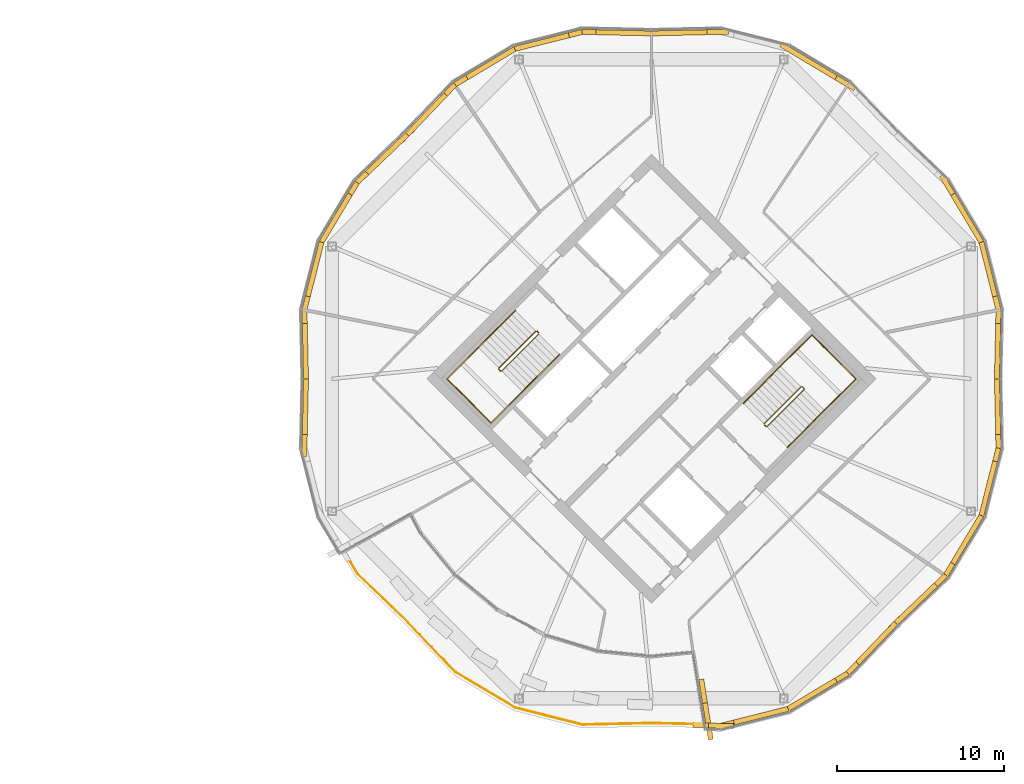
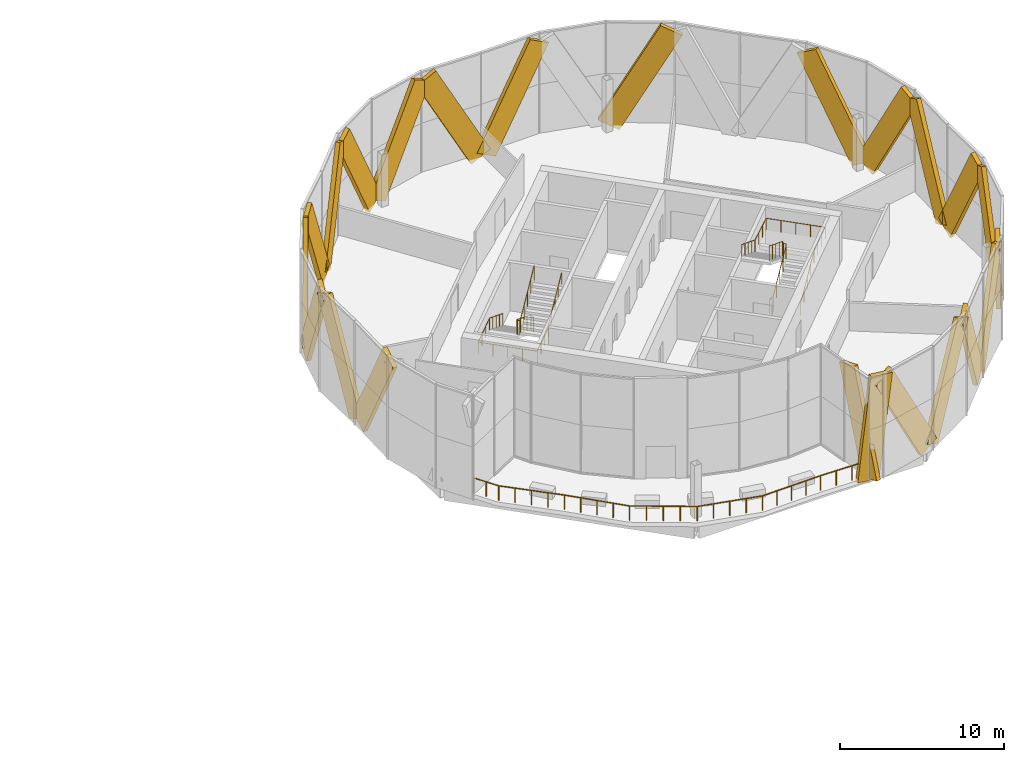
# One storey, part 24 of 26: 23 coverings, 5 railings.
"""IFC4 building model written with IfcOpenShell, lengths in metres."""

from ifc_helpers import new_model, si_unit, direction, frame, origin, origin_2d, place, context, subcontext, project, spatial, rectangle, circle, extrude, material, material_profile, profile_set, type_object, element, save


model = new_model("IFC4")

# Units and contexts
model_context = context("Model", 3, precision=1e-05, world=origin(), true_north=direction((0.0, 1.0)))
body_context = subcontext(model_context, "Body", "Model", "MODEL_VIEW")
ifc_project = project(units=[si_unit("LENGTHUNIT", "METRE"), si_unit("AREAUNIT", "SQUARE_METRE"), si_unit("VOLUMEUNIT", "CUBIC_METRE"), si_unit("PLANEANGLEUNIT", "RADIAN"), si_unit("MASSUNIT", "GRAM", prefix="KILO")], contexts=[model_context])

# Site, building, storey
site_placement = place(None, origin())
site = spatial("IfcSite", under=ifc_project, at=site_placement, CompositionType="ELEMENT")
building_placement = place(site_placement, origin())
building = spatial("IfcBuilding", under=site, at=building_placement, Name="Ogive Gate Towers", CompositionType="ELEMENT")
storey_placement = place(building_placement, frame((0.0, 0.0, 208.5)))
storey = spatial("IfcBuildingStorey", under=building, at=storey_placement, Name="L50", CompositionType="ELEMENT", Elevation=208.5)

# Coverings
ifc_material_1 = material(Name="Pale metal aluminium", Category="aluminium")
ifc_material_profile = material_profile(ifc_material_1, rectangle(XDim=0.300048828125, YDim=1.5, at=origin_2d()), Name="1500 x 300 pale metal aluminium")
ifc_profile_set = profile_set([ifc_material_profile], Name="Pale metal aluminium")
covering_type = type_object("IfcCoveringType", Name="Facade fin 1500 x 300", PredefinedType="CLADDING", material=ifc_profile_set)
covering_1_placement = place(storey_placement, frame((55.659912109375, 8.314697265625, 0.00732421875), z_axis=(-0.244315237806, 0.40917122344, 0.879141043567), x_axis=(-0.858590291699, -0.512662375254, 0.0)))
element("IfcCovering", 1, at=covering_1_placement, inside=storey, type_object=covering_type, Name="Facade fin", PredefinedType="CLADDING", context=body_context, shape_type="SweptSolid", body=[
    extrude(rectangle(XDim=0.300048828125, YDim=1.5, at=origin_2d()), origin(), (0.0, 0.0, 1.0), 8.059326171875),
])
covering_2_placement = place(storey_placement, frame((55.78125, 8.022216796875, 0.00732421875), z_axis=(0.11656969557, -0.462067974669, 0.879149983143), x_axis=(0.969620500905, 0.244614153772, 0.0)))
element("IfcCovering", 2, at=covering_2_placement, inside=storey, type_object=covering_type, Name="Facade fin", PredefinedType="CLADDING", context=body_context, shape_type="SweptSolid", body=[
    extrude(rectangle(XDim=0.300048828125, YDim=1.5, at=origin_2d()), origin(), (0.0, 0.0, 1.0), 8.05908203125),
])
for number, where, z_axis, x_axis, name in (
    (3, (56.67431640625, 0.19384765625, 0.00341796875), (0.010260996337, 0.471155808158, 0.881990315362), (-0.99976293605, 0.021773187654, 0.0), "Facade fin"),
    (4, (36.19384765625, 20.67431640625, 0.00341796875), (0.471155808158, 0.010260996337, 0.881990315362), (-0.021773187654, 0.99976293605, 0.0), "Facade fin"),
):
    element("IfcCovering", number, at=place(storey_placement, frame(where, z_axis=z_axis, x_axis=x_axis)), inside=storey, type_object=covering_type, Name=name, PredefinedType="CLADDING", context=body_context, shape_type="SweptSolid", body=[
        extrude(rectangle(XDim=0.300048828125, YDim=1.5, at=origin_2d()), origin(), (0.0, 0.0, 1.0), 8.0419921875),
    ])
covering_3_placement = place(storey_placement, frame((44.314697265625, 19.659912109375, 0.00732421875), z_axis=(0.40917122344, -0.244315237806, 0.879141043567), x_axis=(0.512662375254, 0.858590291699, 0.0)))
element("IfcCovering", 5, at=covering_3_placement, inside=storey, type_object=covering_type, Name="Facade fin", PredefinedType="CLADDING", context=body_context, shape_type="SweptSolid", body=[
    extrude(rectangle(XDim=0.300048828125, YDim=1.5, at=origin_2d()), origin(), (0.0, 0.0, 1.0), 8.059326171875),
])
covering_4_placement = place(storey_placement, frame((21.518310546875, 14.755859375, 0.00341796875), z_axis=(0.325891478476, 0.340432886785, 0.881986504348), x_axis=(-0.722366201539, 0.691510716384, 0.0)))
element("IfcCovering", 6, at=covering_4_placement, inside=storey, type_object=covering_type, Name="Facade fin", PredefinedType="CLADDING", context=body_context, shape_type="SweptSolid", body=[
    extrude(rectangle(XDim=0.300048828125, YDim=1.5, at=origin_2d()), origin(), (0.0, 0.0, 1.0), 8.0419921875),
])
covering_5_placement = place(storey_placement, frame((27.685302734375, 19.659912109375, 0.00732421875), z_axis=(-0.40917122344, -0.244315237806, 0.879141043567), x_axis=(0.512662375254, -0.858590291699, 0.0)))
element("IfcCovering", 7, at=covering_5_placement, inside=storey, type_object=covering_type, Name="Facade fin", PredefinedType="CLADDING", context=body_context, shape_type="SweptSolid", body=[
    extrude(rectangle(XDim=0.300048828125, YDim=1.5, at=origin_2d()), origin(), (0.0, 0.0, 1.0), 8.059326171875),
])
covering_6_placement = place(storey_placement, frame((27.977783203125, 19.78125, 0.00732421875), z_axis=(0.462067974669, 0.11656969557, 0.879149983143), x_axis=(-0.244614153772, 0.969620500905, 0.0)))
element("IfcCovering", 8, at=covering_6_placement, inside=storey, type_object=covering_type, Name="Facade fin", PredefinedType="CLADDING", context=body_context, shape_type="SweptSolid", body=[
    extrude(rectangle(XDim=0.300048828125, YDim=1.5, at=origin_2d()), origin(), (0.0, 0.0, 1.0), 8.05908203125),
])
for number, where, z_axis, x_axis, name in (
    (9, (35.80615234375, 20.67431640625, 0.00341796875), (-0.471155808158, 0.010260996337, 0.881990315362), (-0.021773187654, -0.99976293605, 0.0), "Facade fin"),
    (10, (15.32568359375, 0.19384765625, 0.00341796875), (-0.010260996337, 0.471155808158, 0.881990315362), (-0.99976293605, -0.021773187654, 0.0), "Facade fin"),
):
    element("IfcCovering", number, at=place(storey_placement, frame(where, z_axis=z_axis, x_axis=x_axis)), inside=storey, type_object=covering_type, Name=name, PredefinedType="CLADDING", context=body_context, shape_type="SweptSolid", body=[
        extrude(rectangle(XDim=0.300048828125, YDim=1.5, at=origin_2d()), origin(), (0.0, 0.0, 1.0), 8.0419921875),
    ])
covering_7_placement = place(storey_placement, frame((16.21875, 8.022216796875, 0.00732421875), z_axis=(-0.11656969557, -0.462067974669, 0.879149983143), x_axis=(0.969620500905, -0.244614153772, 0.0)))
element("IfcCovering", 11, at=covering_7_placement, inside=storey, type_object=covering_type, Name="Facade fin", PredefinedType="CLADDING", context=body_context, shape_type="SweptSolid", body=[
    extrude(rectangle(XDim=0.300048828125, YDim=1.5, at=origin_2d()), origin(), (0.0, 0.0, 1.0), 8.05908203125),
])
covering_8_placement = place(storey_placement, frame((16.340087890625, 8.314697265625, 0.00732421875), z_axis=(0.244315237806, 0.40917122344, 0.879141043567), x_axis=(-0.858590291699, 0.512662375254, 0.0)))
element("IfcCovering", 12, at=covering_8_placement, inside=storey, type_object=covering_type, Name="Facade fin", PredefinedType="CLADDING", context=body_context, shape_type="SweptSolid", body=[
    extrude(rectangle(XDim=0.300048828125, YDim=1.5, at=origin_2d()), origin(), (0.0, 0.0, 1.0), 8.059326171875),
])
for number, where, z_axis, x_axis, name in (
    (13, (21.244140625, 14.481689453125, 0.00341796875), (-0.340432886785, -0.325891478476, 0.881986504348), (0.691510716384, -0.722366201539, 0.0), "Facade fin"),
    (14, (15.32568359375, -0.19384765625, 0.00341796875), (-0.010260996337, -0.471155808158, 0.881990315362), (0.99976293605, -0.021773187654, 0.0), "Facade fin"),
    (15, (50.481689453125, -14.755859375, 0.00341796875), (-0.325891478476, -0.340432886785, 0.881986504348), (0.722366201539, -0.691510716384, 0.0), "Facade fin"),
):
    element("IfcCovering", number, at=place(storey_placement, frame(where, z_axis=z_axis, x_axis=x_axis)), inside=storey, type_object=covering_type, Name=name, PredefinedType="CLADDING", context=body_context, shape_type="SweptSolid", body=[
        extrude(rectangle(XDim=0.300048828125, YDim=1.5, at=origin_2d()), origin(), (0.0, 0.0, 1.0), 8.0419921875),
    ])
covering_9_placement = place(storey_placement, frame((44.314697265625, -19.659912109375, 0.00732421875), z_axis=(0.40917122344, 0.244315237806, 0.879141043567), x_axis=(-0.512662375254, 0.858590291699, 0.0)))
element("IfcCovering", 16, at=covering_9_placement, inside=storey, type_object=covering_type, Name="Facade fin", PredefinedType="CLADDING", context=body_context, shape_type="SweptSolid", body=[
    extrude(rectangle(XDim=0.300048828125, YDim=1.5, at=origin_2d()), origin(), (0.0, 0.0, 1.0), 8.059326171875),
])
covering_10_placement = place(storey_placement, frame((44.022216796875, -19.78125, 0.00732421875), z_axis=(-0.462067974669, -0.11656969557, 0.879149983143), x_axis=(0.244614153772, -0.969620500905, 0.0)))
element("IfcCovering", 17, at=covering_10_placement, inside=storey, type_object=covering_type, Name="Facade fin", PredefinedType="CLADDING", context=body_context, shape_type="SweptSolid", body=[
    extrude(rectangle(XDim=0.300048828125, YDim=1.5, at=origin_2d()), origin(), (0.0, 0.0, 1.0), 8.05908203125),
])
covering_11_placement = place(storey_placement, frame((39.236083984375, -20.740478515625, -0.259521484375), z_axis=(0.120494340755, -0.002640187509, 0.992710503246), x_axis=(0.021906040869, 0.999760033895, 0.0)))
element("IfcCovering", 18, at=covering_11_placement, inside=storey, type_object=covering_type, Name="Facade fin", PredefinedType="CLADDING", context=body_context, shape_type="SweptSolid", body=[
    extrude(rectangle(XDim=0.300048828125, YDim=1.5, at=origin_2d()), origin(), (0.0, 0.0, 1.0), 7.675048828125),
])
covering_12_placement = place(storey_placement, frame((39.437255859375, -20.87060546875, -0.134765625), z_axis=(-0.044873314435, 0.283393704317, 0.957953231638), x_axis=(-0.987694714965, -0.156394213545, 0.0)))
element("IfcCovering", 19, at=covering_12_placement, inside=storey, type_object=covering_type, Name="Facade fin", PredefinedType="CLADDING", context=body_context, shape_type="SweptSolid", body=[
    extrude(rectangle(XDim=0.300048828125, YDim=1.5, at=origin_2d()), origin(), (0.0, 0.0, 1.0), 7.693115234375),
])
covering_13_placement = place(storey_placement, frame((56.67431640625, -0.19384765625, 0.00341796875), z_axis=(0.010260996337, -0.471155808158, 0.881990315362), x_axis=(0.99976293605, 0.021773187654, 0.0)))
element("IfcCovering", 20, at=covering_13_placement, inside=storey, type_object=covering_type, Name="Facade fin", PredefinedType="CLADDING", context=body_context, shape_type="SweptSolid", body=[
    extrude(rectangle(XDim=0.300048828125, YDim=1.5, at=origin_2d()), origin(), (0.0, 0.0, 1.0), 8.0419921875),
])
covering_14_placement = place(storey_placement, frame((55.78125, -8.022216796875, 0.00732421875), z_axis=(0.11656969557, 0.462067974669, 0.879149983143), x_axis=(-0.969620500905, 0.244614153772, 0.0)))
element("IfcCovering", 21, at=covering_14_placement, inside=storey, type_object=covering_type, Name="Facade fin", PredefinedType="CLADDING", context=body_context, shape_type="SweptSolid", body=[
    extrude(rectangle(XDim=0.300048828125, YDim=1.5, at=origin_2d()), origin(), (0.0, 0.0, 1.0), 8.05908203125),
])
covering_15_placement = place(storey_placement, frame((55.659912109375, -8.314697265625, 0.00732421875), z_axis=(-0.244315237806, -0.40917122344, 0.879141043567), x_axis=(0.858590291699, -0.512662375254, 0.0)))
element("IfcCovering", 22, at=covering_15_placement, inside=storey, type_object=covering_type, Name="Facade fin", PredefinedType="CLADDING", context=body_context, shape_type="SweptSolid", body=[
    extrude(rectangle(XDim=0.300048828125, YDim=1.5, at=origin_2d()), origin(), (0.0, 0.0, 1.0), 8.059326171875),
])
covering_16_placement = place(storey_placement, frame((50.755859375, -14.481689453125, 0.00341796875), z_axis=(0.340432886785, 0.325891478476, 0.881986504348), x_axis=(-0.691510716384, 0.722366201539, 0.0)))
element("IfcCovering", 23, at=covering_16_placement, inside=storey, type_object=covering_type, Name="Facade fin", PredefinedType="CLADDING", context=body_context, shape_type="SweptSolid", body=[
    extrude(rectangle(XDim=0.300048828125, YDim=1.5, at=origin_2d()), origin(), (0.0, 0.0, 1.0), 8.0419921875),
])

# Railings
ifc_material_2 = material(Name="Stainless steel", Category="steel")
railing_type_1 = type_object("IfcRailingType", Name="Guard 1100", PredefinedType="GUARDRAIL", material=ifc_material_2)
railing_1_placement = place(storey_placement, frame((39.310302734375, -20.672119140625, 0.0)))
element("IfcRailing", 24, at=railing_1_placement, inside=storey, type_object=railing_type_1, Name="Sky garden guard", PredefinedType="GUARDRAIL", context=body_context, shape_type="SweptSolid", body=[
    extrude(circle(Radius=0.02392578125, at=origin_2d()), frame((0.0, 0.0, 1.076171875), z_axis=(-0.99976277634, 0.02178051983, 0.0), x_axis=(-0.02178051983, -0.99976277634, 0.0)), (0.0, 0.0, 1.0), 3.306640625),
    extrude(circle(Radius=0.02392578125, at=origin_2d()), frame((-3.305908203125, 0.072021484375, 1.076171875), z_axis=(-0.99976300787, -0.021769889644, 0.0), x_axis=(0.021769889644, -0.99976300787, 0.0)), (0.0, 0.0, 1.0), 4.13818359375),
    extrude(circle(Radius=0.02392578125, at=origin_2d()), frame((-7.443115234375, -0.01806640625, 1.076171875), z_axis=(-0.969627358571, 0.244586969217, 0.0), x_axis=(-0.244586969217, -0.969627358571, 0.0)), (0.0, 0.0, 1.0), 4.143310546875),
    extrude(circle(Radius=0.02392578125, at=origin_2d()), frame((-11.460693359375, 0.995361328125, 1.076171875), z_axis=(-0.858587935725, 0.512666320941, 0.0), x_axis=(-0.512666320941, -0.858587935725, 0.0)), (0.0, 0.0, 1.0), 4.1435546875),
    extrude(circle(Radius=0.02392578125, at=origin_2d()), frame((-15.018310546875, 3.11962890625, 1.076171875), z_axis=(-0.691476324871, 0.722399122469, 0.0), x_axis=(-0.722399122469, -0.691476324871, 0.0)), (0.0, 0.0, 1.0), 4.129150390625),
    extrude(circle(Radius=0.02392578125, at=origin_2d()), frame((-17.87353515625, 6.1025390625, 1.076171875), z_axis=(-0.722366322429, 0.6915105901, 0.0), x_axis=(-0.6915105901, -0.722366322429, 0.0)), (0.0, 0.0, 1.0), 4.13818359375),
    extrude(circle(Radius=0.02392578125, at=origin_2d()), frame((-20.86279296875, 8.964111328125, 1.076171875), z_axis=(-0.512676392302, 0.858581921995, 0.0), x_axis=(-0.858581921995, -0.512676392302, 0.0)), (0.0, 0.0, 1.0), 1.73779296875),
    extrude(circle(Radius=0.02099609375, at=origin_2d()), origin(), (0.0, 0.0, 1.0), 1.052001953125),
    extrude(circle(Radius=0.02099609375, at=origin_2d()), frame((-1.10205078125, 0.02392578125, 0.0)), (0.0, 0.0, 1.0), 1.052001953125),
    extrude(circle(Radius=0.02099609375, at=origin_2d()), frame((-2.203857421875, 0.048095703125, 0.0)), (0.0, 0.0, 1.0), 1.052001953125),
    extrude(circle(Radius=0.02099609375, at=origin_2d()), frame((-3.305908203125, 0.072021484375, 0.0)), (0.0, 0.0, 1.0), 1.052001953125),
    extrude(circle(Radius=0.02099609375, at=origin_2d()), frame((-4.34033203125, 0.049560546875, 0.0)), (0.0, 0.0, 1.0), 1.052001953125),
    extrude(circle(Radius=0.02099609375, at=origin_2d()), frame((-5.37451171875, 0.02685546875, 0.0)), (0.0, 0.0, 1.0), 1.052001953125),
    extrude(circle(Radius=0.02099609375, at=origin_2d()), frame((-6.40869140625, 0.00439453125, 0.0)), (0.0, 0.0, 1.0), 1.052001953125),
    extrude(circle(Radius=0.02099609375, at=origin_2d()), frame((-7.443115234375, -0.01806640625, 0.0)), (0.0, 0.0, 1.0), 1.052001953125),
    extrude(circle(Radius=0.02099609375, at=origin_2d()), frame((-8.447509765625, 0.2353515625, 0.0)), (0.0, 0.0, 1.0), 1.052001953125),
    extrude(circle(Radius=0.02099609375, at=origin_2d()), frame((-9.451904296875, 0.48876953125, 0.0)), (0.0, 0.0, 1.0), 1.052001953125),
    extrude(circle(Radius=0.02099609375, at=origin_2d()), frame((-10.456298828125, 0.741943359375, 0.0)), (0.0, 0.0, 1.0), 1.052001953125),
    extrude(circle(Radius=0.02099609375, at=origin_2d()), frame((-11.460693359375, 0.995361328125, 0.0)), (0.0, 0.0, 1.0), 1.052001953125),
    extrude(circle(Radius=0.02099609375, at=origin_2d()), frame((-12.35009765625, 1.5263671875, 0.0)), (0.0, 0.0, 1.0), 1.052001953125),
    extrude(circle(Radius=0.02099609375, at=origin_2d()), frame((-13.239501953125, 2.0576171875, 0.0)), (0.0, 0.0, 1.0), 1.052001953125),
    extrude(circle(Radius=0.02099609375, at=origin_2d()), frame((-14.12890625, 2.588623046875, 0.0)), (0.0, 0.0, 1.0), 1.052001953125),
    extrude(circle(Radius=0.02099609375, at=origin_2d()), frame((-15.018310546875, 3.11962890625, 0.0)), (0.0, 0.0, 1.0), 1.052001953125),
    extrude(circle(Radius=0.02099609375, at=origin_2d()), frame((-15.732177734375, 3.865234375, 0.0)), (0.0, 0.0, 1.0), 1.052001953125),
    extrude(circle(Radius=0.02099609375, at=origin_2d()), frame((-16.44580078125, 4.611083984375, 0.0)), (0.0, 0.0, 1.0), 1.052001953125),
    extrude(circle(Radius=0.02099609375, at=origin_2d()), frame((-17.15966796875, 5.35693359375, 0.0)), (0.0, 0.0, 1.0), 1.052001953125),
    extrude(circle(Radius=0.02099609375, at=origin_2d()), frame((-17.87353515625, 6.1025390625, 0.0)), (0.0, 0.0, 1.0), 1.052001953125),
    extrude(circle(Radius=0.02099609375, at=origin_2d()), frame((-18.620849609375, 6.81787109375, 0.0)), (0.0, 0.0, 1.0), 1.052001953125),
    extrude(circle(Radius=0.02099609375, at=origin_2d()), frame((-19.3681640625, 7.533203125, 0.0)), (0.0, 0.0, 1.0), 1.052001953125),
    extrude(circle(Radius=0.02099609375, at=origin_2d()), frame((-20.115478515625, 8.248779296875, 0.0)), (0.0, 0.0, 1.0), 1.052001953125),
    extrude(circle(Radius=0.02099609375, at=origin_2d()), frame((-20.86279296875, 8.964111328125, 0.0)), (0.0, 0.0, 1.0), 1.052001953125),
    extrude(circle(Radius=0.02099609375, at=origin_2d()), frame((-21.30810546875, 9.7099609375, 0.0)), (0.0, 0.0, 1.0), 1.052001953125),
    extrude(circle(Radius=0.02099609375, at=origin_2d()), frame((-21.753662109375, 10.4560546875, 0.0)), (0.0, 0.0, 1.0), 1.052001953125),
])
railing_type_2 = type_object("IfcRailingType", Name="Stair guard 1100", PredefinedType="GUARDRAIL", material=ifc_material_2)
railing_2_placement = place(storey_placement, frame((29.15869140625, 2.8603515625, 0.0)))
element("IfcRailing", 25, at=railing_2_placement, inside=storey, type_object=railing_type_2, Name="L50 ST1 stair guard 1", PredefinedType="GUARDRAIL", context=body_context, shape_type="SweptSolid", body=[
    extrude(circle(Radius=0.02392578125, at=origin_2d()), frame((0.0, 0.0, 1.076171875), z_axis=(0.707106781187, -0.707106781187, 0.0), x_axis=(0.707106781187, 0.707106781187, 0.0)), (0.0, 0.0, 1.0), 0.14501953125),
    extrude(circle(Radius=0.02392578125, at=origin_2d()), frame((0.1025390625, -0.1025390625, 1.076171875), z_axis=(-0.645571447971, 0.382425963537, 0.661050594114), x_axis=(-0.509669330572, -0.860370369942, 0.0)), (0.0, 0.0, 1.0), 0.26806640625),
    extrude(circle(Radius=0.02392578125, at=origin_2d()), frame((-0.070556640625, 0.0, 1.25341796875), z_axis=(-0.61558473135, -0.61558473135, 0.49204763698), x_axis=(0.707106781187, -0.707106781187, 0.0)), (0.0, 0.0, 1.0), 3.602783203125),
    extrude(circle(Radius=0.02392578125, at=origin_2d()), frame((-2.288330078125, -2.2177734375, 3.02587890625), z_axis=(0.0, -1.0, 0.0), x_axis=(1.0, 0.0, 0.0)), (0.0, 0.0, 1.0), 0.07080078125),
    extrude(circle(Radius=0.02392578125, at=origin_2d()), frame((-2.288330078125, -2.28857421875, 3.02587890625), z_axis=(0.707106781187, -0.707106781187, 0.0), x_axis=(0.707106781187, 0.707106781187, 0.0)), (0.0, 0.0, 1.0), 0.14501953125),
    extrude(circle(Radius=0.02392578125, at=origin_2d()), frame((-2.185791015625, -2.39111328125, 3.02587890625), z_axis=(0.369845645421, 0.0, 0.929093213065), x_axis=(0.0, 1.0, 0.0)), (0.0, 0.0, 1.0), 0.190673828125),
    extrude(circle(Radius=0.02392578125, at=origin_2d()), frame((-2.115234375, -2.39111328125, 3.203125), z_axis=(0.61558473135, 0.61558473135, 0.49204763698), x_axis=(-0.707106781187, 0.707106781187, 0.0)), (0.0, 0.0, 1.0), 3.602783203125),
    extrude(circle(Radius=0.02099609375, at=origin_2d()), origin(), (0.0, 0.0, 1.0), 1.052001953125),
    extrude(circle(Radius=0.02099609375, at=origin_2d()), frame((0.1025390625, -0.1025390625, 0.0)), (0.0, 0.0, 1.0), 1.052001953125),
    extrude(circle(Radius=0.02099609375, at=origin_2d()), frame((-0.070556640625, 0.0, 0.17724609375)), (0.0, 0.0, 1.0), 1.052001953125),
    extrude(circle(Radius=0.02099609375, at=origin_2d()), frame((-0.625, -0.554443359375, 0.620361328125)), (0.0, 0.0, 1.0), 1.052001953125),
    extrude(circle(Radius=0.02099609375, at=origin_2d()), frame((-1.179443359375, -1.10888671875, 1.0634765625)), (0.0, 0.0, 1.0), 1.052001953125),
    extrude(circle(Radius=0.02099609375, at=origin_2d()), frame((-1.73388671875, -1.663330078125, 1.5068359375)), (0.0, 0.0, 1.0), 1.052001953125),
    extrude(circle(Radius=0.02099609375, at=origin_2d()), frame((-2.288330078125, -2.2177734375, 1.949951171875)), (0.0, 0.0, 1.0), 1.052001953125),
    extrude(circle(Radius=0.02099609375, at=origin_2d()), frame((-2.288330078125, -2.28857421875, 1.949951171875)), (0.0, 0.0, 1.0), 1.052001953125),
    extrude(circle(Radius=0.02099609375, at=origin_2d()), frame((-2.185791015625, -2.39111328125, 1.949951171875)), (0.0, 0.0, 1.0), 1.052001953125),
    extrude(circle(Radius=0.02099609375, at=origin_2d()), frame((-2.115234375, -2.39111328125, 2.127197265625)), (0.0, 0.0, 1.0), 1.052001953125),
    extrude(circle(Radius=0.02099609375, at=origin_2d()), frame((-1.560791015625, -1.836669921875, 2.5703125)), (0.0, 0.0, 1.0), 1.052001953125),
    extrude(circle(Radius=0.02099609375, at=origin_2d()), frame((-1.00634765625, -1.2822265625, 3.013671875)), (0.0, 0.0, 1.0), 1.052001953125),
    extrude(circle(Radius=0.02099609375, at=origin_2d()), frame((-0.451904296875, -0.727783203125, 3.456787109375)), (0.0, 0.0, 1.0), 1.052001953125),
    extrude(circle(Radius=0.02099609375, at=origin_2d()), frame((0.1025390625, -0.17333984375, 3.89990234375)), (0.0, 0.0, 1.0), 1.052001953125),
])
railing_3_placement = place(storey_placement, frame((42.84130859375, -2.8603515625, 0.0)))
element("IfcRailing", 26, at=railing_3_placement, inside=storey, type_object=railing_type_2, Name="L50 ST2 stair guard 1", PredefinedType="GUARDRAIL", context=body_context, shape_type="SweptSolid", body=[
    extrude(circle(Radius=0.02392578125, at=origin_2d()), frame((0.0, 0.0, 1.076171875), z_axis=(-0.707106781187, 0.707106781187, 0.0), x_axis=(-0.707106781187, -0.707106781187, 0.0)), (0.0, 0.0, 1.0), 0.14501953125),
    extrude(circle(Radius=0.02392578125, at=origin_2d()), frame((-0.1025390625, 0.1025390625, 1.076171875), z_axis=(0.645571447971, -0.382425963537, 0.661050594114), x_axis=(0.509669330572, 0.860370369942, 0.0)), (0.0, 0.0, 1.0), 0.26806640625),
    extrude(circle(Radius=0.02392578125, at=origin_2d()), frame((0.070556640625, 0.0, 1.25341796875), z_axis=(0.61558473135, 0.61558473135, 0.49204763698), x_axis=(-0.707106781187, 0.707106781187, 0.0)), (0.0, 0.0, 1.0), 3.602783203125),
    extrude(circle(Radius=0.02392578125, at=origin_2d()), frame((2.288330078125, 2.2177734375, 3.02587890625), z_axis=(0.0, 1.0, 0.0), x_axis=(-1.0, 0.0, 0.0)), (0.0, 0.0, 1.0), 0.07080078125),
    extrude(circle(Radius=0.02392578125, at=origin_2d()), frame((2.288330078125, 2.28857421875, 3.02587890625), z_axis=(-0.707106781187, 0.707106781187, 0.0), x_axis=(-0.707106781187, -0.707106781187, 0.0)), (0.0, 0.0, 1.0), 0.14501953125),
    extrude(circle(Radius=0.02392578125, at=origin_2d()), frame((2.185791015625, 2.39111328125, 3.02587890625), z_axis=(-0.369845645421, 0.0, 0.929093213065), x_axis=(0.0, -1.0, 0.0)), (0.0, 0.0, 1.0), 0.190673828125),
    extrude(circle(Radius=0.02392578125, at=origin_2d()), frame((2.115234375, 2.39111328125, 3.203125), z_axis=(-0.61558473135, -0.61558473135, 0.49204763698), x_axis=(0.707106781187, -0.707106781187, 0.0)), (0.0, 0.0, 1.0), 3.602783203125),
    extrude(circle(Radius=0.02099609375, at=origin_2d()), origin(), (0.0, 0.0, 1.0), 1.052001953125),
    extrude(circle(Radius=0.02099609375, at=origin_2d()), frame((-0.1025390625, 0.1025390625, 0.0)), (0.0, 0.0, 1.0), 1.052001953125),
    extrude(circle(Radius=0.02099609375, at=origin_2d()), frame((0.070556640625, 0.0, 0.17724609375)), (0.0, 0.0, 1.0), 1.052001953125),
    extrude(circle(Radius=0.02099609375, at=origin_2d()), frame((0.625, 0.554443359375, 0.620361328125)), (0.0, 0.0, 1.0), 1.052001953125),
    extrude(circle(Radius=0.02099609375, at=origin_2d()), frame((1.179443359375, 1.10888671875, 1.0634765625)), (0.0, 0.0, 1.0), 1.052001953125),
    extrude(circle(Radius=0.02099609375, at=origin_2d()), frame((1.73388671875, 1.663330078125, 1.5068359375)), (0.0, 0.0, 1.0), 1.052001953125),
    extrude(circle(Radius=0.02099609375, at=origin_2d()), frame((2.288330078125, 2.2177734375, 1.949951171875)), (0.0, 0.0, 1.0), 1.052001953125),
    extrude(circle(Radius=0.02099609375, at=origin_2d()), frame((2.288330078125, 2.28857421875, 1.949951171875)), (0.0, 0.0, 1.0), 1.052001953125),
    extrude(circle(Radius=0.02099609375, at=origin_2d()), frame((2.185791015625, 2.39111328125, 1.949951171875)), (0.0, 0.0, 1.0), 1.052001953125),
    extrude(circle(Radius=0.02099609375, at=origin_2d()), frame((2.115234375, 2.39111328125, 2.127197265625)), (0.0, 0.0, 1.0), 1.052001953125),
    extrude(circle(Radius=0.02099609375, at=origin_2d()), frame((1.560791015625, 1.836669921875, 2.5703125)), (0.0, 0.0, 1.0), 1.052001953125),
    extrude(circle(Radius=0.02099609375, at=origin_2d()), frame((1.00634765625, 1.2822265625, 3.013671875)), (0.0, 0.0, 1.0), 1.052001953125),
    extrude(circle(Radius=0.02099609375, at=origin_2d()), frame((0.451904296875, 0.727783203125, 3.456787109375)), (0.0, 0.0, 1.0), 1.052001953125),
    extrude(circle(Radius=0.02099609375, at=origin_2d()), frame((-0.1025390625, 0.17333984375, 3.89990234375)), (0.0, 0.0, 1.0), 1.052001953125),
])
railing_type_3 = type_object("IfcRailingType", Name="Stair handrail 900", PredefinedType="HANDRAIL", material=ifc_material_2)
railing_4_placement = place(storey_placement, frame((27.857666015625, 4.090576171875, 0.17724609375)))
element("IfcRailing", 27, at=railing_4_placement, inside=storey, type_object=railing_type_3, Name="L50 ST1 stair handrail 1", PredefinedType="HANDRAIL", context=body_context, shape_type="SweptSolid", body=[
    extrude(circle(Radius=0.02392578125, at=origin_2d()), frame((0.0, 0.0, 0.8759765625), z_axis=(-0.61558473135, -0.61558473135, 0.49204763698), x_axis=(0.707106781187, -0.707106781187, 0.0)), (0.0, 0.0, 1.0), 3.602783203125),
    extrude(circle(Radius=0.02392578125, at=origin_2d()), frame((-2.2177734375, -2.2177734375, 2.6484375), z_axis=(-0.707106781187, -0.707106781187, 0.0), x_axis=(0.707106781187, -0.707106781187, 0.0)), (0.0, 0.0, 1.0), 2.6484375),
    extrude(circle(Radius=0.02392578125, at=origin_2d()), frame((-4.090576171875, -4.090576171875, 2.6484375), z_axis=(0.707106781187, -0.707106781187, 0.0), x_axis=(0.707106781187, 0.707106781187, 0.0)), (0.0, 0.0, 1.0), 3.72509765625),
    extrude(circle(Radius=0.02392578125, at=origin_2d()), frame((-1.45654296875, -6.724609375, 2.6484375), z_axis=(0.705482886452, 0.705574853978, 0.066768423356), x_axis=(-0.70715286629, 0.70706069308, 0.0)), (0.0, 0.0, 1.0), 2.654541015625),
    extrude(circle(Radius=0.02392578125, at=origin_2d()), frame((0.416259765625, -4.8515625, 2.82568359375), z_axis=(0.615610411033, 0.615542642384, 0.4920681632), x_axis=(-0.70706785752, 0.70714570271, 0.0)), (0.0, 0.0, 1.0), 3.6025390625),
    extrude(circle(Radius=0.02099609375, at=origin_2d()), origin(), (0.0, 0.0, 1.0), 0.851806640625),
    extrude(circle(Radius=0.02099609375, at=origin_2d()), frame((-0.554443359375, -0.554443359375, 0.443115234375)), (0.0, 0.0, 1.0), 0.851806640625),
    extrude(circle(Radius=0.02099609375, at=origin_2d()), frame((-1.10888671875, -1.10888671875, 0.88623046875)), (0.0, 0.0, 1.0), 0.851806640625),
    extrude(circle(Radius=0.02099609375, at=origin_2d()), frame((-1.663330078125, -1.663330078125, 1.32958984375)), (0.0, 0.0, 1.0), 0.851806640625),
    extrude(circle(Radius=0.02099609375, at=origin_2d()), frame((-2.2177734375, -2.2177734375, 1.772705078125)), (0.0, 0.0, 1.0), 0.851806640625),
    extrude(circle(Radius=0.02099609375, at=origin_2d()), frame((-2.842041015625, -2.842041015625, 1.772705078125)), (0.0, 0.0, 1.0), 0.851806640625),
    extrude(circle(Radius=0.02099609375, at=origin_2d()), frame((-3.46630859375, -3.46630859375, 1.772705078125)), (0.0, 0.0, 1.0), 0.851806640625),
    extrude(circle(Radius=0.02099609375, at=origin_2d()), frame((-4.090576171875, -4.090576171875, 1.772705078125)), (0.0, 0.0, 1.0), 0.851806640625),
    extrude(circle(Radius=0.02099609375, at=origin_2d()), frame((-3.43212890625, -4.7490234375, 1.772705078125)), (0.0, 0.0, 1.0), 0.851806640625),
    extrude(circle(Radius=0.02099609375, at=origin_2d()), frame((-2.7734375, -5.40771484375, 1.772705078125)), (0.0, 0.0, 1.0), 0.851806640625),
    extrude(circle(Radius=0.02099609375, at=origin_2d()), frame((-2.114990234375, -6.066162109375, 1.772705078125)), (0.0, 0.0, 1.0), 0.851806640625),
    extrude(circle(Radius=0.02099609375, at=origin_2d()), frame((-1.45654296875, -6.724609375, 1.772705078125)), (0.0, 0.0, 1.0), 0.851806640625),
    extrude(circle(Radius=0.02099609375, at=origin_2d()), frame((-0.832275390625, -6.100341796875, 1.831787109375)), (0.0, 0.0, 1.0), 0.851806640625),
    extrude(circle(Radius=0.02099609375, at=origin_2d()), frame((-0.2080078125, -5.475830078125, 1.890869140625)), (0.0, 0.0, 1.0), 0.851806640625),
    extrude(circle(Radius=0.02099609375, at=origin_2d()), frame((0.416259765625, -4.8515625, 1.949951171875)), (0.0, 0.0, 1.0), 0.851806640625),
    extrude(circle(Radius=0.02099609375, at=origin_2d()), frame((0.970703125, -4.297119140625, 2.39306640625)), (0.0, 0.0, 1.0), 0.851806640625),
    extrude(circle(Radius=0.02099609375, at=origin_2d()), frame((1.525146484375, -3.74267578125, 2.83642578125)), (0.0, 0.0, 1.0), 0.851806640625),
    extrude(circle(Radius=0.02099609375, at=origin_2d()), frame((2.07958984375, -3.1884765625, 3.279541015625)), (0.0, 0.0, 1.0), 0.851806640625),
    extrude(circle(Radius=0.02099609375, at=origin_2d()), frame((2.634033203125, -2.634033203125, 3.72265625)), (0.0, 0.0, 1.0), 0.851806640625),
])
railing_5_placement = place(storey_placement, frame((44.142333984375, -4.090576171875, 0.17724609375)))
element("IfcRailing", 28, at=railing_5_placement, inside=storey, type_object=railing_type_3, Name="L50 ST2 stair handrail 1", PredefinedType="HANDRAIL", context=body_context, shape_type="SweptSolid", body=[
    extrude(circle(Radius=0.02392578125, at=origin_2d()), frame((0.0, 0.0, 0.8759765625), z_axis=(0.61558473135, 0.61558473135, 0.49204763698), x_axis=(-0.707106781187, 0.707106781187, 0.0)), (0.0, 0.0, 1.0), 3.602783203125),
    extrude(circle(Radius=0.02392578125, at=origin_2d()), frame((2.2177734375, 2.2177734375, 2.6484375), z_axis=(0.707106781187, 0.707106781187, 0.0), x_axis=(-0.707106781187, 0.707106781187, 0.0)), (0.0, 0.0, 1.0), 2.6484375),
    extrude(circle(Radius=0.02392578125, at=origin_2d()), frame((4.090576171875, 4.090576171875, 2.6484375), z_axis=(-0.707106781187, 0.707106781187, 0.0), x_axis=(-0.707106781187, -0.707106781187, 0.0)), (0.0, 0.0, 1.0), 3.72509765625),
    extrude(circle(Radius=0.02392578125, at=origin_2d()), frame((1.45654296875, 6.724609375, 2.6484375), z_axis=(-0.705482886452, -0.705574853978, 0.066768423356), x_axis=(0.70715286629, -0.70706069308, 0.0)), (0.0, 0.0, 1.0), 2.654541015625),
    extrude(circle(Radius=0.02392578125, at=origin_2d()), frame((-0.416259765625, 4.8515625, 2.82568359375), z_axis=(-0.615610411033, -0.615542642384, 0.4920681632), x_axis=(0.70706785752, -0.70714570271, 0.0)), (0.0, 0.0, 1.0), 3.6025390625),
    extrude(circle(Radius=0.02099609375, at=origin_2d()), origin(), (0.0, 0.0, 1.0), 0.851806640625),
    extrude(circle(Radius=0.02099609375, at=origin_2d()), frame((0.554443359375, 0.554443359375, 0.443115234375)), (0.0, 0.0, 1.0), 0.851806640625),
    extrude(circle(Radius=0.02099609375, at=origin_2d()), frame((1.10888671875, 1.10888671875, 0.88623046875)), (0.0, 0.0, 1.0), 0.851806640625),
    extrude(circle(Radius=0.02099609375, at=origin_2d()), frame((1.663330078125, 1.663330078125, 1.32958984375)), (0.0, 0.0, 1.0), 0.851806640625),
    extrude(circle(Radius=0.02099609375, at=origin_2d()), frame((2.2177734375, 2.2177734375, 1.772705078125)), (0.0, 0.0, 1.0), 0.851806640625),
    extrude(circle(Radius=0.02099609375, at=origin_2d()), frame((2.842041015625, 2.842041015625, 1.772705078125)), (0.0, 0.0, 1.0), 0.851806640625),
    extrude(circle(Radius=0.02099609375, at=origin_2d()), frame((3.46630859375, 3.46630859375, 1.772705078125)), (0.0, 0.0, 1.0), 0.851806640625),
    extrude(circle(Radius=0.02099609375, at=origin_2d()), frame((4.090576171875, 4.090576171875, 1.772705078125)), (0.0, 0.0, 1.0), 0.851806640625),
    extrude(circle(Radius=0.02099609375, at=origin_2d()), frame((3.43212890625, 4.7490234375, 1.772705078125)), (0.0, 0.0, 1.0), 0.851806640625),
    extrude(circle(Radius=0.02099609375, at=origin_2d()), frame((2.7734375, 5.40771484375, 1.772705078125)), (0.0, 0.0, 1.0), 0.851806640625),
    extrude(circle(Radius=0.02099609375, at=origin_2d()), frame((2.114990234375, 6.066162109375, 1.772705078125)), (0.0, 0.0, 1.0), 0.851806640625),
    extrude(circle(Radius=0.02099609375, at=origin_2d()), frame((1.45654296875, 6.724609375, 1.772705078125)), (0.0, 0.0, 1.0), 0.851806640625),
    extrude(circle(Radius=0.02099609375, at=origin_2d()), frame((0.832275390625, 6.100341796875, 1.831787109375)), (0.0, 0.0, 1.0), 0.851806640625),
    extrude(circle(Radius=0.02099609375, at=origin_2d()), frame((0.2080078125, 5.475830078125, 1.890869140625)), (0.0, 0.0, 1.0), 0.851806640625),
    extrude(circle(Radius=0.02099609375, at=origin_2d()), frame((-0.416259765625, 4.8515625, 1.949951171875)), (0.0, 0.0, 1.0), 0.851806640625),
    extrude(circle(Radius=0.02099609375, at=origin_2d()), frame((-0.970703125, 4.297119140625, 2.39306640625)), (0.0, 0.0, 1.0), 0.851806640625),
    extrude(circle(Radius=0.02099609375, at=origin_2d()), frame((-1.525146484375, 3.74267578125, 2.83642578125)), (0.0, 0.0, 1.0), 0.851806640625),
    extrude(circle(Radius=0.02099609375, at=origin_2d()), frame((-2.07958984375, 3.1884765625, 3.279541015625)), (0.0, 0.0, 1.0), 0.851806640625),
    extrude(circle(Radius=0.02099609375, at=origin_2d()), frame((-2.634033203125, 2.634033203125, 3.72265625)), (0.0, 0.0, 1.0), 0.851806640625),
])

save(model, "model.ifc")
